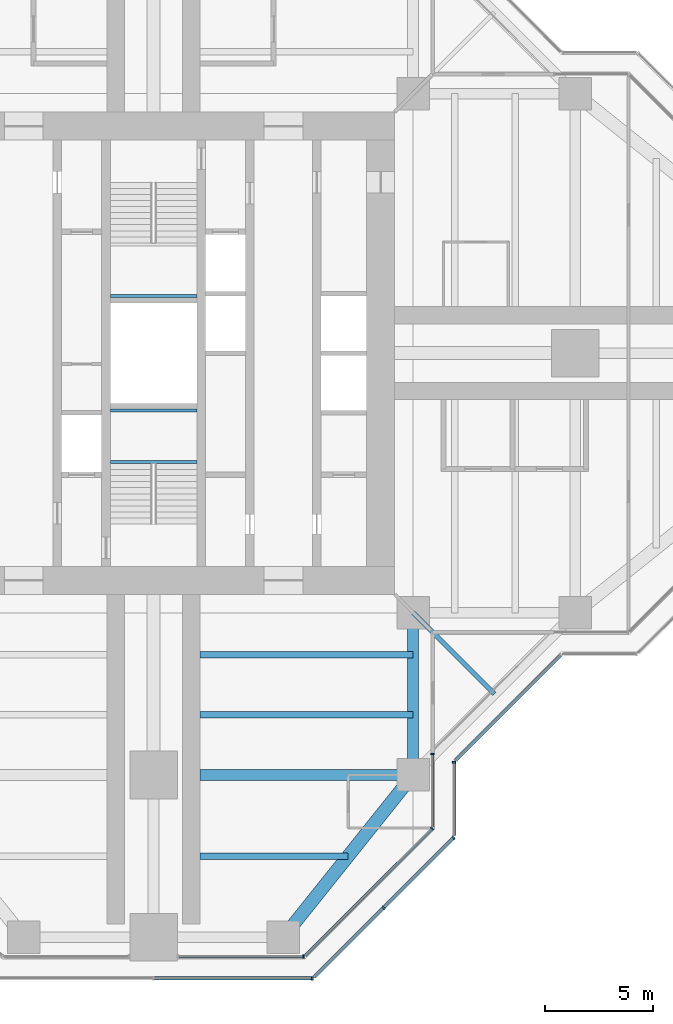
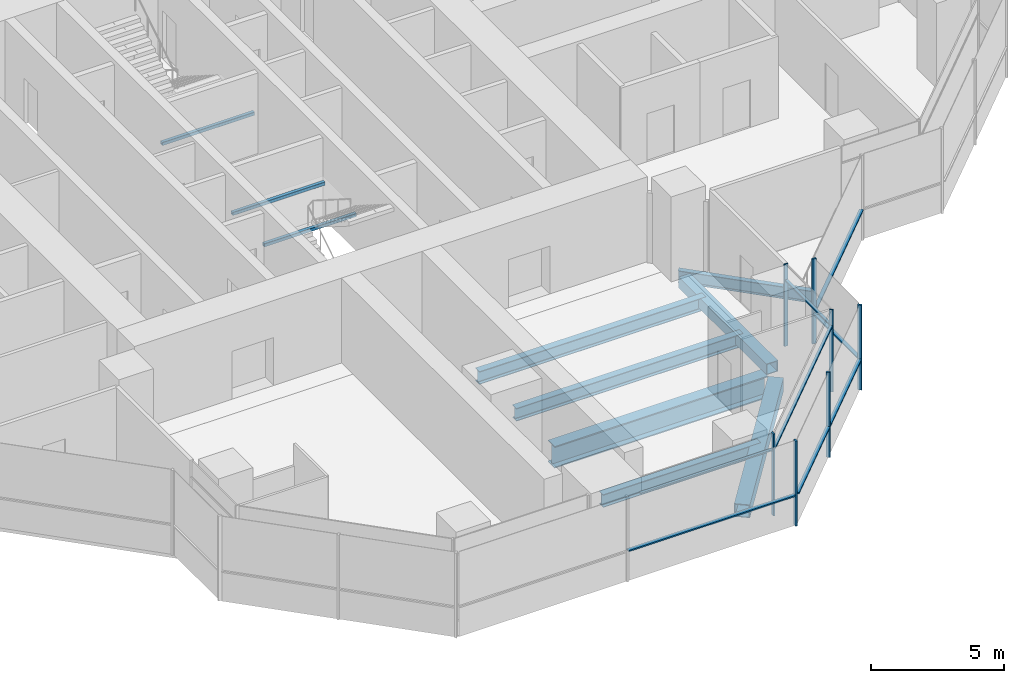
# One storey, part 4 of 17: 15 members, 10 beams, 7 elements without a shape of their own.
"""IFC4 building model written with IfcOpenShell, lengths in metres."""

from ifc_helpers import new_model, si_unit, direction, frame, origin, origin_2d, place, context, subcontext, project, spatial, rectangle, hollow_rectangle, i_section, extrude, material, material_profile, profile_set, type_object, element, aggregate, save


model = new_model("IFC4")

# Units and contexts
model_context = context("Model", 3, precision=1e-05, world=origin(), true_north=direction((0.0, 1.0)))
body_context = subcontext(model_context, "Body", "Model", "MODEL_VIEW")
ifc_project = project(units=[si_unit("LENGTHUNIT", "METRE"), si_unit("AREAUNIT", "SQUARE_METRE"), si_unit("VOLUMEUNIT", "CUBIC_METRE"), si_unit("PLANEANGLEUNIT", "RADIAN"), si_unit("MASSUNIT", "GRAM", prefix="KILO")], contexts=[model_context])

# Site, building, storey
site_placement = place(None, origin())
site = spatial("IfcSite", under=ifc_project, at=site_placement, CompositionType="ELEMENT")
building_placement = place(site_placement, origin())
building = spatial("IfcBuilding", under=site, at=building_placement, Name="Mizan Broadcast Tower", CompositionType="ELEMENT")
storey_placement = place(building_placement, frame((0.0, 0.0, 236.10009765625)))
storey = spatial("IfcBuildingStorey", under=building, at=storey_placement, Name="L55", CompositionType="ELEMENT", Elevation=236.10009765625)

# Beams
ifc_material_1 = material(Name="Steel S355", Category="steel")
ifc_material_profile_1 = material_profile(ifc_material_1, hollow_rectangle(XDim=0.5, YDim=0.5, WallThickness=0.030029296875, at=origin_2d()), Name="BOX 500x500x30")
ifc_profile_set_1 = profile_set([ifc_material_profile_1], Name="Steel S355")
beam_type_1 = type_object("IfcBeamType", Name="EDGE BEAM BOX 500x500x30", PredefinedType="SPANDREL", material=ifc_profile_set_1)
beam_1_placement = place(storey_placement, frame((12.0, -12.449951171875, -0.380126953125), z_axis=(0.0, -1.0, 0.0), x_axis=(1.0, 0.0, 0.0)))
element("IfcBeam", 1, at=beam_1_placement, inside=storey, type_object=beam_type_1, Name="Edge beam BOX 500x500x30 L55 south arm", PredefinedType="SPANDREL", context=body_context, shape_type="SweptSolid", body=[
    extrude(hollow_rectangle(XDim=0.5, YDim=0.5, WallThickness=0.030029296875, at=origin_2d()), origin(), (0.0, 0.0, 1.0), 6.60009765625),
])
ifc_material_2 = material(Name="Steel S355", Category="steel")
ifc_material_profile_2 = material_profile(ifc_material_2, hollow_rectangle(XDim=0.60009765625, YDim=0.60009765625, WallThickness=0.030029296875, at=origin_2d()), Name="BOX 600x600x30")
ifc_profile_set_2 = profile_set([ifc_material_profile_2], Name="Steel S355")
beam_type_2 = type_object("IfcBeamType", Name="EDGE BEAM BOX 600x600x30", PredefinedType="SPANDREL", material=ifc_profile_set_2)
beam_2_placement = place(storey_placement, frame((11.639892578125, -19.949951171875, -0.43017578125), z_axis=(-0.624673911726, -0.780885717636, 0.0), x_axis=(0.780885717636, -0.624673911726, 0.0)))
element("IfcBeam", 2, at=beam_2_placement, inside=storey, type_object=beam_type_2, Name="Edge beam BOX 600x600x30 L55 south arm", PredefinedType="SPANDREL", context=body_context, shape_type="SweptSolid", body=[
    extrude(hollow_rectangle(XDim=0.60009765625, YDim=0.60009765625, WallThickness=0.030029296875, at=origin_2d()), origin(), (0.0, 0.0, 1.0), 8.4521484375),
])
ifc_material_3 = material(Name="Steel S460", Category="steel")
ifc_material_profile_3 = material_profile(ifc_material_3, i_section(OverallWidth=0.5, OverallDepth=1.0, WebThickness=0.02490234375, FlangeThickness=0.050048828125, at=origin_2d()), Name="WPG 1000x500")
ifc_profile_set_3 = profile_set([ifc_material_profile_3], Name="Steel S460")
beam_type_3 = type_object("IfcBeamType", Name="GIRDER WPG 1000x500", PredefinedType="BEAM", material=ifc_profile_set_3)
beam_3_placement = place(storey_placement, frame((11.408935546875, -19.5, -0.630126953125), z_axis=(-1.0, 0.0, 0.0), x_axis=(0.0, -1.0, 0.0)))
element("IfcBeam", 3, at=beam_3_placement, inside=storey, type_object=beam_type_3, Name="Girder WPG 1000x500 L55 south arm", PredefinedType="BEAM", context=body_context, shape_type="SweptSolid", body=[
    extrude(i_section(OverallWidth=0.5, OverallDepth=1.0, WebThickness=0.02490234375, FlangeThickness=0.050048828125, at=origin_2d()), origin(), (0.0, 0.0, 1.0), 9.259033203125),
])

# Curtain wall, member
ifc_material_4 = material(Name="Aluminium framed glazing", Category="aluminium")
curtain_wall_type_1 = type_object("IfcCurtainWallType", Name="INNER SKIN HIGH ZONE", PredefinedType="USERDEFINED", material=ifc_material_4)
curtain_wall_1_placement = place(storey_placement, origin())
curtain_wall_1 = element("IfcCurtainWall", 4, at=curtain_wall_1_placement, inside=storey, type_object=curtain_wall_type_1, Name="Inner skin high zone L55 S end", ObjectType="INNER SKIN HIGH ZONE", PredefinedType="USERDEFINED")
ifc_material_5 = material(Name="Aluminium, pale anodised", Category="aluminium")
ifc_material_profile_4 = material_profile(ifc_material_5, rectangle(XDim=0.159912109375, YDim=0.06005859375, at=origin_2d()), Name="MULLION 160x60")
ifc_profile_set_4 = profile_set([ifc_material_profile_4], Name="Aluminium, pale anodised")
member_type_1 = type_object("IfcMemberType", Name="INNER SKIN MULLION 60x160", PredefinedType="MULLION", material=ifc_profile_set_4)
member_1_placement = place(storey_placement, frame((6.928466796875, -27.89990234375, 0.0), z_axis=(0.0, 0.0, 1.0), x_axis=(0.0, 1.0, 0.0)))
member_1 = element("IfcMember", 5, at=member_1_placement, type_object=member_type_1, Name="Inner skin high zone L55 S end mullion 2", PredefinedType="MULLION", context=body_context, shape_type="SweptSolid", body=[
    extrude(rectangle(XDim=0.159912109375, YDim=0.06005859375, at=origin_2d()), origin(), (0.0, 0.0, 1.0), 3.77001953125),
])

curtain_wall_2_placement = place(storey_placement, origin())
curtain_wall_2 = element("IfcCurtainWall", 6, at=curtain_wall_2_placement, inside=storey, type_object=curtain_wall_type_1, Name="Inner skin high zone L55 S chamfer", ObjectType="INNER SKIN HIGH ZONE", PredefinedType="USERDEFINED")
member_2_placement = place(storey_placement, frame((12.87890625, -21.979736328125, 0.0), z_axis=(0.0, 0.0, 1.0), x_axis=(-0.707106781187, 0.707106781187, 0.0)))
member_2 = element("IfcMember", 7, at=member_2_placement, type_object=member_type_1, Name="Inner skin high zone L55 S chamfer mullion 2", PredefinedType="MULLION", context=body_context, shape_type="SweptSolid", body=[
    extrude(rectangle(XDim=0.159912109375, YDim=0.06005859375, at=origin_2d()), origin(), (0.0, 0.0, 1.0), 3.77001953125),
])

curtain_wall_3_placement = place(storey_placement, origin())
curtain_wall_3 = element("IfcCurtainWall", 8, at=curtain_wall_3_placement, inside=storey, type_object=curtain_wall_type_1, Name="Inner skin high zone L55 S side", ObjectType="INNER SKIN HIGH ZONE", PredefinedType="USERDEFINED")
member_3_placement = place(storey_placement, frame((12.89990234375, -18.530029296875, 0.0), z_axis=(0.0, 0.0, 1.0), x_axis=(-1.0, 0.0, 0.0)))
member_3 = element("IfcMember", 9, at=member_3_placement, type_object=member_type_1, Name="Inner skin high zone L55 S side mullion 2", PredefinedType="MULLION", context=body_context, shape_type="SweptSolid", body=[
    extrude(rectangle(XDim=0.159912109375, YDim=0.06005859375, at=origin_2d()), origin(), (0.0, 0.0, 1.0), 3.77001953125),
])

# Member
ifc_material_6 = material(Name="Aluminium, pale anodised", Category="aluminium")
ifc_material_profile_5 = material_profile(ifc_material_6, rectangle(XDim=0.1201171875, YDim=0.06005859375, at=origin_2d()), Name="TRANSOM 120x60")
ifc_profile_set_5 = profile_set([ifc_material_profile_5], Name="Aluminium, pale anodised")
member_type_2 = type_object("IfcMemberType", Name="INNER SKIN TRANSOM 60x120", PredefinedType="USERDEFINED", material=ifc_profile_set_5)
member_4_placement = place(storey_placement, frame((1.159912109375, -27.89990234375, 3.02978515625), z_axis=(1.0, 0.0, 0.0), x_axis=(0.0, 1.0, 0.0)))
member_4 = element("IfcMember", 10, at=member_4_placement, type_object=member_type_2, Name="Inner skin high zone L55 S end transom 1.1", ObjectType="TRANSOM", PredefinedType="USERDEFINED", context=body_context, shape_type="SweptSolid", body=[
    extrude(rectangle(XDim=0.1201171875, YDim=0.06005859375, at=origin_2d()), origin(), (0.0, 0.0, 1.0), 5.73876953125),
])

aggregate(curtain_wall_1, [member_1, member_4])

member_5_placement = place(storey_placement, frame((7.0009765625, -27.857666015625, 3.02978515625), z_axis=(0.707106781187, 0.707106781187, 0.0), x_axis=(-0.707106781187, 0.707106781187, 0.0)))
member_5 = element("IfcMember", 11, at=member_5_placement, type_object=member_type_2, Name="Inner skin high zone L55 S chamfer transom 1.1", ObjectType="TRANSOM", PredefinedType="USERDEFINED", context=body_context, shape_type="SweptSolid", body=[
    extrude(rectangle(XDim=0.1201171875, YDim=0.06005859375, at=origin_2d()), origin(), (0.0, 0.0, 1.0), 8.28271484375),
])

aggregate(curtain_wall_2, [member_2, member_5])

member_6_placement = place(storey_placement, frame((12.89990234375, -21.898681640625, 3.02978515625), z_axis=(0.0, 1.0, 0.0), x_axis=(-1.0, 0.0, 0.0)))
member_6 = element("IfcMember", 12, at=member_6_placement, type_object=member_type_2, Name="Inner skin high zone L55 S side transom 1.1", ObjectType="TRANSOM", PredefinedType="USERDEFINED", context=body_context, shape_type="SweptSolid", body=[
    extrude(rectangle(XDim=0.1201171875, YDim=0.06005859375, at=origin_2d()), origin(), (0.0, 0.0, 1.0), 3.338623046875),
])

aggregate(curtain_wall_3, [member_3, member_6])

# Beams
ifc_material_7 = material(Name="Steel S355", Category="steel")
ifc_material_profile_6 = material_profile(ifc_material_7, hollow_rectangle(XDim=0.14990234375, YDim=0.14990234375, WallThickness=0.008056640625, InnerFilletRadius=0.008056640625, OuterFilletRadius=0.011962890625, at=origin_2d()), Name="SHS 150x150x8")
ifc_profile_set_6 = profile_set([ifc_material_profile_6], Name="Steel S355")
beam_type_4 = type_object("IfcBeamType", Name="LANDING TRIMMER SHS 150x150x8", PredefinedType="BEAM", material=ifc_profile_set_6)
for number, where, z_axis, x_axis, name in (
    (13, (-2.0, -5.02490234375, 1.6748046875), (1.0, 0.0, 0.0), (0.0, 1.0, 0.0), "Stair A landing trimmer L55"),
    (14, (-2.0, -2.64990234375, 1.6748046875), (1.0, 0.0, 0.0), (0.0, 1.0, 0.0), "Stair A landing trimmer L55"),
    (15, (2.0, 2.64990234375, 1.6748046875), (-1.0, 0.0, 0.0), (0.0, -1.0, 0.0), "Stair B landing trimmer L55"),
):
    element("IfcBeam", number, at=place(storey_placement, frame(where, z_axis=z_axis, x_axis=x_axis)), inside=storey, type_object=beam_type_4, Name=name, PredefinedType="BEAM", context=body_context, shape_type="SweptSolid", body=[
        extrude(hollow_rectangle(XDim=0.14990234375, YDim=0.14990234375, WallThickness=0.008056640625, InnerFilletRadius=0.008056640625, OuterFilletRadius=0.011962890625, at=origin_2d()), origin(), (0.0, 0.0, 1.0), 4.0),
    ])

# Curtain wall, member
ifc_material_8 = material(Name="Aluminium framed glazing", Category="aluminium")
curtain_wall_type_2 = type_object("IfcCurtainWallType", Name="OUTER SKIN", PredefinedType="USERDEFINED", material=ifc_material_8)
curtain_wall_4_placement = place(storey_placement, origin())
curtain_wall_4 = element("IfcCurtainWall", 16, at=curtain_wall_4_placement, inside=storey, type_object=curtain_wall_type_2, Name="Outer skin L55 S end", ObjectType="OUTER SKIN", PredefinedType="USERDEFINED")
ifc_material_9 = material(Name="Aluminium, pale anodised", Category="aluminium")
ifc_material_profile_7 = material_profile(ifc_material_9, rectangle(XDim=0.159912109375, YDim=0.080078125, at=origin_2d()), Name="MULLION 160x80")
ifc_profile_set_7 = profile_set([ifc_material_profile_7], Name="Aluminium, pale anodised")
member_type_3 = type_object("IfcMemberType", Name="OUTER SKIN MULLION 80x160", PredefinedType="MULLION", material=ifc_profile_set_7)
member_7_placement = place(storey_placement, frame((7.332763671875, -28.89990234375, 0.0), z_axis=(0.0, 0.0, 1.0), x_axis=(0.0, 1.0, 0.0)))
member_7 = element("IfcMember", 17, at=member_7_placement, type_object=member_type_3, Name="Outer skin L55 S end mullion 3", PredefinedType="MULLION", context=body_context, shape_type="SweptSolid", body=[
    extrude(rectangle(XDim=0.159912109375, YDim=0.080078125, at=origin_2d()), origin(), (0.0, 0.0, 1.0), 3.89990234375),
])

# Curtain wall, members
curtain_wall_5_placement = place(storey_placement, origin())
curtain_wall_5 = element("IfcCurtainWall", 18, at=curtain_wall_5_placement, inside=storey, type_object=curtain_wall_type_2, Name="Outer skin L55 S chamfer", ObjectType="OUTER SKIN", PredefinedType="USERDEFINED")
member_8_placement = place(storey_placement, frame((10.636474609375, -25.636474609375, 0.0), z_axis=(0.0, 0.0, 1.0), x_axis=(-0.707106781187, 0.707106781187, 0.0)))
member_8 = element("IfcMember", 19, at=member_8_placement, type_object=member_type_3, Name="Outer skin L55 S chamfer mullion 2", PredefinedType="MULLION", context=body_context, shape_type="SweptSolid", body=[
    extrude(rectangle(XDim=0.159912109375, YDim=0.080078125, at=origin_2d()), origin(), (0.0, 0.0, 1.0), 3.89990234375),
])
member_9_placement = place(storey_placement, frame((13.871826171875, -22.401123046875, 0.0), z_axis=(0.0, 0.0, 1.0), x_axis=(-0.707106781187, 0.707106781187, 0.0)))
member_9 = element("IfcMember", 20, at=member_9_placement, type_object=member_type_3, Name="Outer skin L55 S chamfer mullion 3", PredefinedType="MULLION", context=body_context, shape_type="SweptSolid", body=[
    extrude(rectangle(XDim=0.159912109375, YDim=0.080078125, at=origin_2d()), origin(), (0.0, 0.0, 1.0), 3.89990234375),
])

# Curtain wall, member
curtain_wall_6_placement = place(storey_placement, origin())
curtain_wall_6 = element("IfcCurtainWall", 21, at=curtain_wall_6_placement, inside=storey, type_object=curtain_wall_type_2, Name="Outer skin L55 S side", ObjectType="OUTER SKIN", PredefinedType="USERDEFINED")
member_10_placement = place(storey_placement, frame((13.89990234375, -18.912841796875, 0.0), z_axis=(0.0, 0.0, 1.0), x_axis=(-1.0, 0.0, 0.0)))
member_10 = element("IfcMember", 22, at=member_10_placement, type_object=member_type_3, Name="Outer skin L55 S side mullion 2", PredefinedType="MULLION", context=body_context, shape_type="SweptSolid", body=[
    extrude(rectangle(XDim=0.159912109375, YDim=0.080078125, at=origin_2d()), origin(), (0.0, 0.0, 1.0), 3.89990234375),
])

# Member
ifc_material_10 = material(Name="Aluminium, pale anodised", Category="aluminium")
ifc_material_profile_8 = material_profile(ifc_material_10, rectangle(XDim=0.159912109375, YDim=0.06005859375, at=origin_2d()), Name="TRANSOM 160x60")
ifc_profile_set_8 = profile_set([ifc_material_profile_8], Name="Aluminium, pale anodised")
member_type_4 = type_object("IfcMemberType", Name="OUTER SKIN TRANSOM 60x160", PredefinedType="USERDEFINED", material=ifc_profile_set_8)
member_11_placement = place(storey_placement, frame((0.0400390625, -28.89990234375, 1.39990234375), z_axis=(1.0, 0.0, 0.0), x_axis=(0.0, 1.0, 0.0)))
member_11 = element("IfcMember", 23, at=member_11_placement, type_object=member_type_4, Name="Outer skin L55 S end transom 2.1", ObjectType="TRANSOM", PredefinedType="USERDEFINED", context=body_context, shape_type="SweptSolid", body=[
    extrude(rectangle(XDim=0.159912109375, YDim=0.06005859375, at=origin_2d()), origin(), (0.0, 0.0, 1.0), 7.252685546875),
])

aggregate(curtain_wall_4, [member_7, member_11])

member_12_placement = place(storey_placement, frame((7.429443359375, -28.843505859375, 1.39990234375), z_axis=(0.707106781187, 0.707106781187, 0.0), x_axis=(-0.707106781187, 0.707106781187, 0.0)))
member_12 = element("IfcMember", 24, at=member_12_placement, type_object=member_type_4, Name="Outer skin L55 S chamfer transom 1.1", ObjectType="TRANSOM", PredefinedType="USERDEFINED", context=body_context, shape_type="SweptSolid", body=[
    extrude(rectangle(XDim=0.159912109375, YDim=0.06005859375, at=origin_2d()), origin(), (0.0, 0.0, 1.0), 4.495361328125),
])

member_13_placement = place(storey_placement, frame((10.664794921875, -25.608154296875, 1.39990234375), z_axis=(0.707106781187, 0.707106781187, 0.0), x_axis=(-0.707106781187, 0.707106781187, 0.0)))
member_13 = element("IfcMember", 25, at=member_13_placement, type_object=member_type_4, Name="Outer skin L55 S chamfer transom 2.1", ObjectType="TRANSOM", PredefinedType="USERDEFINED", context=body_context, shape_type="SweptSolid", body=[
    extrude(rectangle(XDim=0.159912109375, YDim=0.06005859375, at=origin_2d()), origin(), (0.0, 0.0, 1.0), 4.495361328125),
])

aggregate(curtain_wall_5, [member_8, member_9, member_12, member_13])

member_14_placement = place(storey_placement, frame((13.89990234375, -22.292724609375, 1.39990234375), z_axis=(0.0, 1.0, 0.0), x_axis=(-1.0, 0.0, 0.0)))
member_14 = element("IfcMember", 26, at=member_14_placement, type_object=member_type_4, Name="Outer skin L55 S side transom 1.1", ObjectType="TRANSOM", PredefinedType="USERDEFINED", context=body_context, shape_type="SweptSolid", body=[
    extrude(rectangle(XDim=0.159912109375, YDim=0.06005859375, at=origin_2d()), origin(), (0.0, 0.0, 1.0), 3.33984375),
])

aggregate(curtain_wall_6, [member_10, member_14])

# Curtain wall, member
curtain_wall_7_placement = place(storey_placement, origin())
curtain_wall_7 = element("IfcCurtainWall", 27, at=curtain_wall_7_placement, inside=storey, type_object=curtain_wall_type_2, Name="Outer skin L55 E chamfer", ObjectType="OUTER SKIN", PredefinedType="USERDEFINED")
member_15_placement = place(storey_placement, frame((13.95654296875, -18.816162109375, 1.39990234375), z_axis=(0.707106781187, 0.707106781187, 0.0), x_axis=(-0.707106781187, 0.707106781187, 0.0)))
member_15 = element("IfcMember", 28, at=member_15_placement, type_object=member_type_4, Name="Outer skin L55 E chamfer transom 1.1", ObjectType="TRANSOM", PredefinedType="USERDEFINED", context=body_context, shape_type="SweptSolid", body=[
    extrude(rectangle(XDim=0.159912109375, YDim=0.06005859375, at=origin_2d()), origin(), (0.0, 0.0, 1.0), 6.87255859375),
])
aggregate(curtain_wall_7, [member_15])

# Beams
ifc_material_11 = material(Name="Steel S355", Category="steel")
ifc_material_profile_9 = material_profile(ifc_material_11, i_section(OverallWidth=0.300048828125, OverallDepth=0.590087890625, WebThickness=0.012939453125, FlangeThickness=0.02490234375, FilletRadius=0.027099609375, at=origin_2d()), Name="HEA 600")
ifc_profile_set_9 = profile_set([ifc_material_profile_9], Name="Steel S355")
beam_type_5 = type_object("IfcBeamType", Name="SECONDARY BEAM HEA 600", PredefinedType="JOIST", material=ifc_profile_set_9)
for number, where, z_axis, x_axis, name in (
    (29, (12.0, -13.933349609375, -0.425048828125), (-1.0, 0.0, 0.0), (0.0, -1.0, 0.0), "Secondary beam HEA 600 L55 south arm"),
    (30, (12.0, -16.716552734375, -0.425048828125), (-1.0, 0.0, 0.0), (0.0, -1.0, 0.0), "Secondary beam HEA 600 L55 south arm"),
):
    element("IfcBeam", number, at=place(storey_placement, frame(where, z_axis=z_axis, x_axis=x_axis)), inside=storey, type_object=beam_type_5, Name=name, PredefinedType="JOIST", context=body_context, shape_type="SweptSolid", body=[
        extrude(i_section(OverallWidth=0.300048828125, OverallDepth=0.590087890625, WebThickness=0.012939453125, FlangeThickness=0.02490234375, FilletRadius=0.027099609375, at=origin_2d()), origin(), (0.0, 0.0, 1.0), 9.85009765625),
    ])
beam_4_placement = place(storey_placement, frame((9.0, -23.25, -0.425048828125), z_axis=(-1.0, 0.0, 0.0), x_axis=(0.0, -1.0, 0.0)))
element("IfcBeam", 31, at=beam_4_placement, inside=storey, type_object=beam_type_5, Name="Secondary beam HEA 600 L55 south arm", PredefinedType="JOIST", context=body_context, shape_type="SweptSolid", body=[
    extrude(i_section(OverallWidth=0.300048828125, OverallDepth=0.590087890625, WebThickness=0.012939453125, FlangeThickness=0.02490234375, FilletRadius=0.027099609375, at=origin_2d()), origin(), (0.0, 0.0, 1.0), 6.85009765625),
])
ifc_material_12 = material(Name="Steel S355", Category="steel")
ifc_material_profile_10 = material_profile(ifc_material_12, i_section(OverallWidth=0.2099609375, OverallDepth=0.550048828125, WebThickness=0.010986328125, FlangeThickness=0.01708984375, FilletRadius=0.02392578125, at=origin_2d()), Name="IPE 550")
ifc_profile_set_10 = profile_set([ifc_material_profile_10], Name="Steel S355")
beam_type_6 = type_object("IfcBeamType", Name="SECONDARY BEAM IPE 550", PredefinedType="JOIST", material=ifc_profile_set_10)
beam_5_placement = place(storey_placement, frame((12.0, -12.0, -0.405029296875), z_axis=(0.707106781187, -0.707106781187, 0.0), x_axis=(0.707106781187, 0.707106781187, 0.0)))
element("IfcBeam", 32, at=beam_5_placement, inside=storey, type_object=beam_type_6, Name="Winter garden beam L55 S", PredefinedType="JOIST", context=body_context, shape_type="SweptSolid", body=[
    extrude(i_section(OverallWidth=0.2099609375, OverallDepth=0.550048828125, WebThickness=0.010986328125, FlangeThickness=0.01708984375, FilletRadius=0.02392578125, at=origin_2d()), origin(), (0.0, 0.0, 1.0), 5.30322265625),
])

save(model, "model.ifc")
